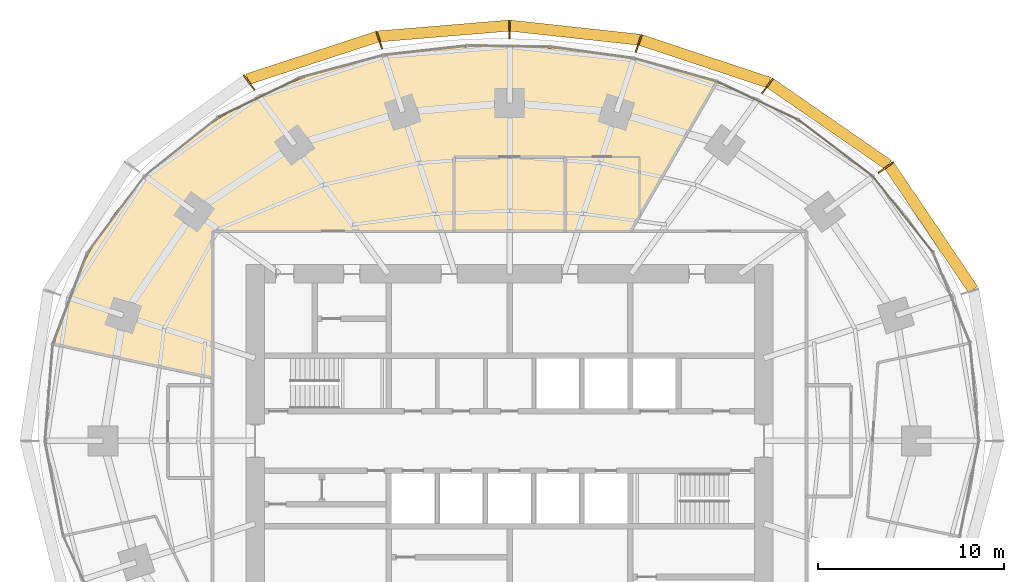
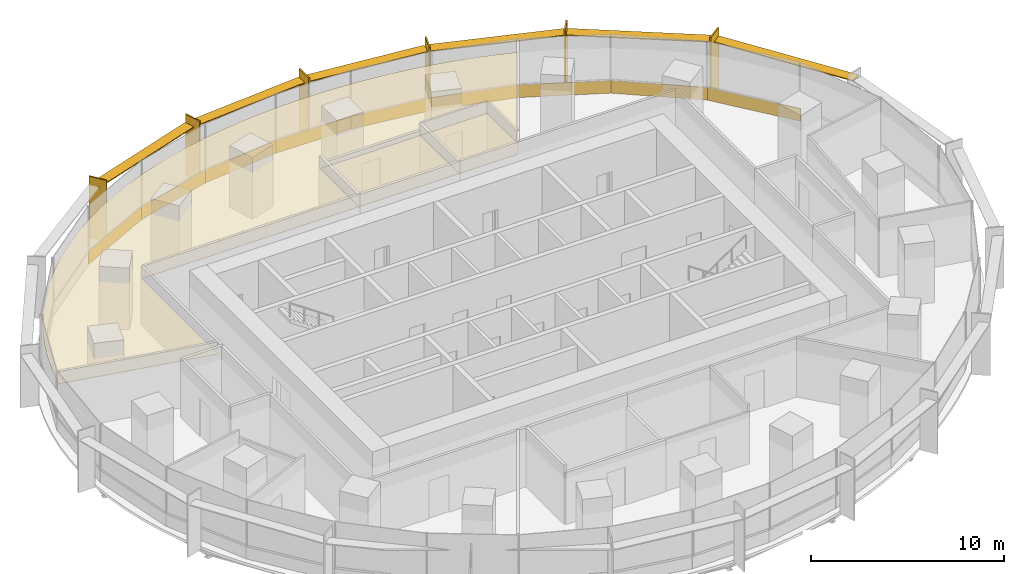
# One storey, part 14 of 14: 12 coverings, 12 shading devices.
"""IFC4 building model written with IfcOpenShell, lengths in metres."""

from ifc_helpers import new_model, si_unit, direction, frame, origin, origin_2d, place, context, subcontext, project, spatial, polyline, rectangle, outline, extrude, material, layer, layer_set, type_object, element, save


model = new_model("IFC4")

# Units and contexts
model_context = context("Model", 3, precision=1e-05, world=origin(), true_north=direction((0.0, 1.0)))
body_context = subcontext(model_context, "Body", "Model", "MODEL_VIEW")
ifc_project = project(units=[si_unit("LENGTHUNIT", "METRE"), si_unit("AREAUNIT", "SQUARE_METRE"), si_unit("VOLUMEUNIT", "CUBIC_METRE"), si_unit("PLANEANGLEUNIT", "RADIAN"), si_unit("MASSUNIT", "GRAM", prefix="KILO")], contexts=[model_context])

# Site, building, storey
site_placement = place(None, origin())
site = spatial("IfcSite", under=ifc_project, at=site_placement, CompositionType="ELEMENT")
building_placement = place(site_placement, origin())
building = spatial("IfcBuilding", under=site, at=building_placement, Name="Marramba Exchange Tower", CompositionType="ELEMENT")
storey_placement = place(building_placement, frame((0.0, 0.0, 123.60009765625)))
storey = spatial("IfcBuildingStorey", under=building, at=storey_placement, Name="L29", CompositionType="ELEMENT", Elevation=123.60009765625)

# Shading devices
ifc_material_1 = material(Name="Aluminium blade, timber-look bronze finish", Category="wood")
ifc_layer_1 = layer(ifc_material_1, 0.080078125)
ifc_layer_set_1 = layer_set([ifc_layer_1], Name="Floor-edge blade 1000x80")
shading_device_type_1 = type_object("IfcShadingDeviceType", Name="Floor-edge blade 1000x80", PredefinedType="USERDEFINED", material=ifc_layer_set_1)
for number, where, z_axis, x_axis, name in (
    (1, (20.27392578125, 14.72998046875, -0.16015625), (0.0, 0.0, 1.0), (0.809016994375, 0.587785252292, 0.0), "Floor-edge blade FB1 L29 TC03"),
    (2, (13.8955078125, 19.12548828125, -0.16015625), (0.0, 0.0, 1.0), (0.587785252292, 0.809016994375, 0.0), "Floor-edge blade FB1 L29 TC04"),
    (3, (6.958984375, 21.41748046875, -0.16015625), (0.0, 0.0, 1.0), (0.309016994375, 0.951056516295, 0.0), "Floor-edge blade FB1 L29 TC05"),
    (4, (0.0, 22.173095703125, -0.16015625), (0.0, 0.0, 1.0), (0.0, 1.0, 0.0), "Floor-edge blade FB1 L29 TC06"),
    (5, (-7.016845703125, 21.595703125, -0.16015625), (0.0, 0.0, 1.0), (-0.309016994375, 0.951056516295, 0.0), "Floor-edge blade FB1 L29 TC07"),
    (6, (-14.029296875, 19.3095703125, -0.16015625), (0.0, 0.0, 1.0), (-0.587785252292, 0.809016994375, 0.0), "Floor-edge blade FB1 L29 TC08"),
):
    element("IfcShadingDevice", number, at=place(storey_placement, frame(where, z_axis=z_axis, x_axis=x_axis)), inside=storey, type_object=shading_device_type_1, Name=name, ObjectType="FIN", PredefinedType="USERDEFINED", context=body_context, shape_type="SweptSolid", body=[
        extrude(rectangle(XDim=1.0, YDim=0.080078125, at=origin_2d()), origin(), (0.0, 0.0, 1.0), 3.89990234375),
    ])
ifc_material_2 = material(Name="Aluminium sunshade, bronze anodised", Category="aluminium")
ifc_layer_2 = layer(ifc_material_2, 0.06005859375)
ifc_layer_set_2 = layer_set([ifc_layer_2], Name="SUNSHADE blade 600x60")
shading_device_type_2 = type_object("IfcShadingDeviceType", Name="SUNSHADE blade 600x60", PredefinedType="USERDEFINED", material=ifc_layer_set_2)
shading_device_1_placement = place(storey_placement, frame((22.712158203125, 11.4833984375, 3.159912109375), z_axis=(0.0, 0.0, 1.0), x_axis=(-0.560441804861, 0.828193807852, 0.0)))
element("IfcShadingDevice", 7, at=shading_device_1_placement, inside=storey, type_object=shading_device_type_2, Name="Sunshade SS1 L29 bay 02", ObjectType="SUNSHADE", PredefinedType="USERDEFINED", context=body_context, shape_type="SweptSolid", body=[
    extrude(rectangle(XDim=8.0439453125, YDim=0.60009765625, at=origin_2d()), origin(), (0.0, 0.0, 1.0), 0.06005859375),
])
shading_device_2_placement = place(storey_placement, frame((17.224365234375, 17.0673828125, 3.159912109375), z_axis=(0.0, 0.0, 1.0), x_axis=(-0.822589509071, 0.568635647464, 0.0)))
element("IfcShadingDevice", 8, at=shading_device_2_placement, inside=storey, type_object=shading_device_type_2, Name="Sunshade SS1 L29 bay 03", ObjectType="SUNSHADE", PredefinedType="USERDEFINED", context=body_context, shape_type="SweptSolid", body=[
    extrude(rectangle(XDim=7.72802734375, YDim=0.60009765625, at=origin_2d()), origin(), (0.0, 0.0, 1.0), 0.06005859375),
])
shading_device_3_placement = place(storey_placement, frame((10.516845703125, 20.447509765625, 3.159912109375), z_axis=(0.0, 0.0, 1.0), x_axis=(-0.949101076178, 0.314971660944, 0.0)))
element("IfcShadingDevice", 9, at=shading_device_3_placement, inside=storey, type_object=shading_device_type_2, Name="Sunshade SS1 L29 bay 04", ObjectType="SUNSHADE", PredefinedType="USERDEFINED", context=body_context, shape_type="SweptSolid", body=[
    extrude(rectangle(XDim=7.287353515625, YDim=0.60009765625, at=origin_2d()), origin(), (0.0, 0.0, 1.0), 0.06005859375),
])
shading_device_4_placement = place(storey_placement, frame((3.510498046875, 21.990478515625, 3.159912109375), z_axis=(0.0, 0.0, 1.0), x_axis=(-0.994111392801, 0.108362995081, 0.0)))
element("IfcShadingDevice", 10, at=shading_device_4_placement, inside=storey, type_object=shading_device_type_2, Name="Sunshade SS1 L29 bay 05", ObjectType="SUNSHADE", PredefinedType="USERDEFINED", context=body_context, shape_type="SweptSolid", body=[
    extrude(rectangle(XDim=6.982421875, YDim=0.60009765625, at=origin_2d()), origin(), (0.0, 0.0, 1.0), 0.06005859375),
])
shading_device_5_placement = place(storey_placement, frame((-3.539306640625, 22.07958984375, 3.159912109375), z_axis=(0.0, 0.0, 1.0), x_axis=(-0.996577838412, -0.08265961521, 0.0)))
element("IfcShadingDevice", 11, at=shading_device_5_placement, inside=storey, type_object=shading_device_type_2, Name="Sunshade SS1 L29 bay 06", ObjectType="SUNSHADE", PredefinedType="USERDEFINED", context=body_context, shape_type="SweptSolid", body=[
    extrude(rectangle(XDim=7.02294921875, YDim=0.60009765625, at=origin_2d()), origin(), (0.0, 0.0, 1.0), 0.06005859375),
])
shading_device_6_placement = place(storey_placement, frame((-10.61279296875, 20.628662109375, 3.159912109375), z_axis=(0.0, 0.0, 1.0), x_axis=(-0.950345637432, -0.311196351865, 0.0)))
element("IfcShadingDevice", 12, at=shading_device_6_placement, inside=storey, type_object=shading_device_type_2, Name="Sunshade SS1 L29 bay 07", ObjectType="SUNSHADE", PredefinedType="USERDEFINED", context=body_context, shape_type="SweptSolid", body=[
    extrude(rectangle(XDim=7.357421875, YDim=0.60009765625, at=origin_2d()), origin(), (0.0, 0.0, 1.0), 0.06005859375),
])

# Coverings
ifc_material_3 = material(Name="Aluminium spandrel panel, bronze anodised, insulated", Category="aluminium")
ifc_layer_3 = layer(ifc_material_3, 0.050048828125)
ifc_layer_set_3 = layer_set([ifc_layer_3], Name="Spandrel panel 800")
covering_type_1 = type_object("IfcCoveringType", Name="Spandrel panel 800", PredefinedType="CLADDING", material=ifc_layer_set_3)
covering_1_placement = place(storey_placement, frame((21.20068359375, 12.194091796875, 0.0), z_axis=(0.0, 0.0, 1.0), x_axis=(-0.621311998758, 0.783563271344, 0.0)))
element("IfcCovering", 13, at=covering_1_placement, inside=storey, type_object=covering_type_1, Name="Spandrel panel SP1 L29 F03", PredefinedType="CLADDING", context=body_context, shape_type="SweptSolid", body=[
    extrude(rectangle(XDim=5.197021484375, YDim=0.050048828125, at=origin_2d()), origin(), (0.0, 0.0, 1.0), 0.800048828125),
])
covering_2_placement = place(storey_placement, frame((17.576171875, 15.759033203125, 0.0), z_axis=(0.0, 0.0, 1.0), x_axis=(-0.795971745176, 0.605333776426, 0.0)))
element("IfcCovering", 14, at=covering_2_placement, inside=storey, type_object=covering_type_1, Name="Spandrel panel SP1 L29 F04", PredefinedType="CLADDING", context=body_context, shape_type="SweptSolid", body=[
    extrude(rectangle(XDim=5.05078125, YDim=0.050048828125, at=origin_2d()), origin(), (0.0, 0.0, 1.0), 0.800048828125),
])
covering_3_placement = place(storey_placement, frame((13.371337890625, 18.322998046875, 0.0), z_axis=(0.0, 0.0, 1.0), x_axis=(-0.904403135206, 0.426678999987, 0.0)))
element("IfcCovering", 15, at=covering_3_placement, inside=storey, type_object=covering_type_1, Name="Spandrel panel SP1 L29 F05", PredefinedType="CLADDING", context=body_context, shape_type="SweptSolid", body=[
    extrude(rectangle(XDim=4.853271484375, YDim=0.050048828125, at=origin_2d()), origin(), (0.0, 0.0, 1.0), 0.800048828125),
])
covering_4_placement = place(storey_placement, frame((8.9365234375, 19.98388671875, 0.0), z_axis=(0.0, 0.0, 1.0), x_axis=(-0.963177847397, 0.268865085655, 0.0)))
element("IfcCovering", 16, at=covering_4_placement, inside=storey, type_object=covering_type_1, Name="Spandrel panel SP1 L29 F06", PredefinedType="CLADDING", context=body_context, shape_type="SweptSolid", body=[
    extrude(rectangle(XDim=4.651611328125, YDim=0.050048828125, at=origin_2d()), origin(), (0.0, 0.0, 1.0), 0.800048828125),
])
covering_5_placement = place(storey_placement, frame((4.46337890625, 20.915283203125, 0.0), z_axis=(0.0, 0.0, 1.0), x_axis=(-0.990738214019, 0.135785828725, 0.0)))
element("IfcCovering", 17, at=covering_5_placement, inside=storey, type_object=covering_type_1, Name="Spandrel panel SP1 L29 F07", PredefinedType="CLADDING", context=body_context, shape_type="SweptSolid", body=[
    extrude(rectangle(XDim=4.507568359375, YDim=0.050048828125, at=origin_2d()), origin(), (0.0, 0.0, 1.0), 0.800048828125),
])
covering_6_placement = place(storey_placement, frame((-0.003662109375, 21.25634765625, 0.0), z_axis=(0.0, 0.0, 1.0), x_axis=(-0.999875870008, 0.015755779107, 0.0)))
element("IfcCovering", 18, at=covering_6_placement, inside=storey, type_object=covering_type_1, Name="Spandrel panel SP1 L29 F08", PredefinedType="CLADDING", context=body_context, shape_type="SweptSolid", body=[
    extrude(rectangle(XDim=4.46875, YDim=0.050048828125, at=origin_2d()), origin(), (0.0, 0.0, 1.0), 0.800048828125),
])
covering_7_placement = place(storey_placement, frame((-4.49609375, 21.03955078125, 0.0), z_axis=(0.0, 0.0, 1.0), x_axis=(-0.993823395975, -0.110973229261, 0.0)))
element("IfcCovering", 19, at=covering_7_placement, inside=storey, type_object=covering_type_1, Name="Spandrel panel SP1 L29 F09", PredefinedType="CLADDING", context=body_context, shape_type="SweptSolid", body=[
    extrude(rectangle(XDim=4.54443359375, YDim=0.050048828125, at=origin_2d()), origin(), (0.0, 0.0, 1.0), 0.800048828125),
])
covering_8_placement = place(storey_placement, frame((-9.0244140625, 20.17529296875, 0.0), z_axis=(0.0, 0.0, 1.0), x_axis=(-0.965522049344, -0.26032128655, 0.0)))
element("IfcCovering", 20, at=covering_8_placement, inside=storey, type_object=covering_type_1, Name="Spandrel panel SP1 L29 F10", PredefinedType="CLADDING", context=body_context, shape_type="SweptSolid", body=[
    extrude(rectangle(XDim=4.70263671875, YDim=0.050048828125, at=origin_2d()), origin(), (0.0, 0.0, 1.0), 0.800048828125),
])
covering_9_placement = place(storey_placement, frame((-13.49609375, 18.498291015625, 0.0), z_axis=(0.0, 0.0, 1.0), x_axis=(-0.900223736484, -0.435427633794, 0.0)))
element("IfcCovering", 21, at=covering_9_placement, inside=storey, type_object=covering_type_1, Name="Spandrel panel SP1 L29 F11", PredefinedType="CLADDING", context=body_context, shape_type="SweptSolid", body=[
    extrude(rectangle(XDim=4.890625, YDim=0.050048828125, at=origin_2d()), origin(), (0.0, 0.0, 1.0), 0.800048828125),
])
ifc_material_4 = material(Name="Mineral fibre ceiling tiles", Category="gypsum")
ifc_layer_4 = layer(ifc_material_4, 0.02001953125)
ifc_layer_set_4 = layer_set([ifc_layer_4], Name="Suspended ceiling 20")
covering_type_2 = type_object("IfcCoveringType", Name="Suspended ceiling 20", PredefinedType="CEILING", material=ifc_layer_set_4)
covering_10_placement = place(storey_placement, frame((0.0, 0.0, 2.89990234375)))
element("IfcCovering", 22, at=covering_10_placement, inside=storey, type_object=covering_type_2, Name="Ceiling CL1 L29 Open Plan Office 2", PredefinedType="CEILING", context=body_context, shape_type="SweptSolid", body=[
    extrude(outline(polyline([(-16.0, 3.40087890625), (-24.52294921875, 5.21240234375), (-24.1904296875, 6.481689453125), (-23.768798828125, 7.722900390625), (-23.260498046875, 8.928955078125), (-22.669677734375, 10.09326171875), (-22.0009765625, 11.2099609375), (-21.259765625, 12.2744140625), (-20.451904296875, 13.28173828125), (-19.583984375, 14.228759765625), (-18.66259765625, 15.11279296875), (-17.6943359375, 15.93212890625), (-16.685791015625, 16.685791015625), (-15.643798828125, 17.374267578125), (-14.57421875, 17.99755859375), (-13.482666015625, 18.55712890625), (-12.37451171875, 19.05517578125), (-11.2548828125, 19.493896484375), (-10.127197265625, 19.875732421875), (-8.995361328125, 20.203857421875), (-7.862060546875, 20.4814453125), (-6.7294921875, 20.711181640625), (-5.59912109375, 20.896484375), (-4.47216796875, 21.0400390625), (-3.34912109375, 21.14453125), (-2.2294921875, 21.212158203125), (-1.11328125, 21.244384765625), (0.0, 21.2431640625), (1.111572265625, 21.208740234375), (2.22216796875, 21.1416015625), (3.332763671875, 21.041748046875), (4.444091796875, 20.907958984375), (5.556884765625, 20.739013671875), (6.671630859375, 20.533203125), (7.787841796875, 20.287841796875), (8.905029296875, 20.0009765625), (10.02197265625, 19.6689453125), (11.13671875, 19.289306640625), (9.422607421875, 16.3203125), (7.0, 12.124267578125), (7.0, 15.300048828125), (3.0, 15.300048828125), (-3.0, 15.300048828125), (-3.0, 11.300048828125), (-16.0, 11.300048828125), (-16.0, 3.40087890625)])), origin(), (0.0, 0.0, 1.0), 0.02001953125),
])
covering_11_placement = place(storey_placement, frame((0.0, 0.0, 2.89990234375)))
element("IfcCovering", 23, at=covering_11_placement, inside=storey, type_object=covering_type_2, Name="Ceiling CL1 L29 Meeting Room 2", PredefinedType="CEILING", context=body_context, shape_type="SweptSolid", body=[
    extrude(outline(polyline([(3.0, 11.300048828125), (-3.0, 11.300048828125), (-3.0, 15.300048828125), (3.0, 15.300048828125), (3.0, 11.300048828125)])), origin(), (0.0, 0.0, 1.0), 0.02001953125),
])
covering_12_placement = place(storey_placement, frame((0.0, 0.0, 2.89990234375)))
element("IfcCovering", 24, at=covering_12_placement, inside=storey, type_object=covering_type_2, Name="Ceiling CL1 L29 Pantry 1", PredefinedType="CEILING", context=body_context, shape_type="SweptSolid", body=[
    extrude(outline(polyline([(7.0, 12.124267578125), (6.524169921875, 11.300048828125), (3.0, 11.300048828125), (3.0, 15.300048828125), (7.0, 15.300048828125), (7.0, 12.124267578125)])), origin(), (0.0, 0.0, 1.0), 0.02001953125),
])

save(model, "model.ifc")
